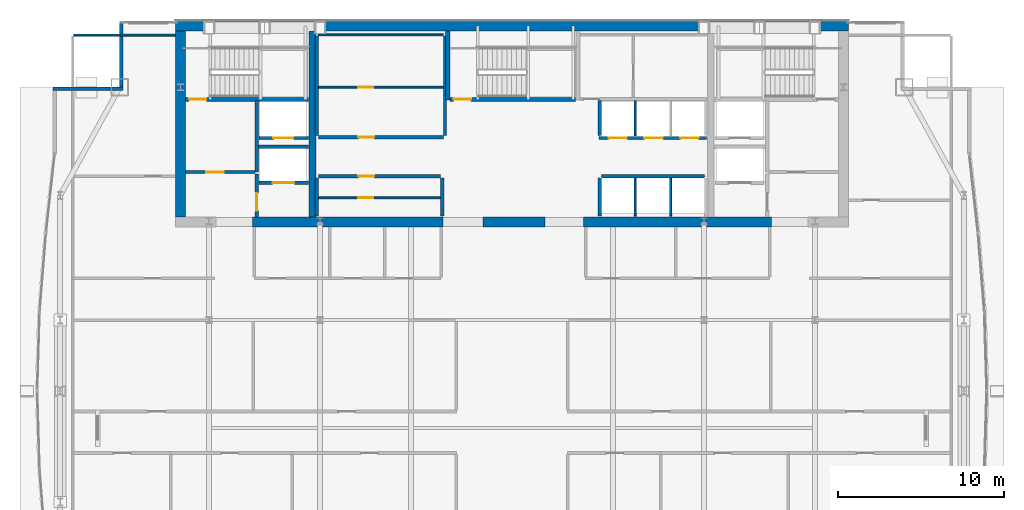
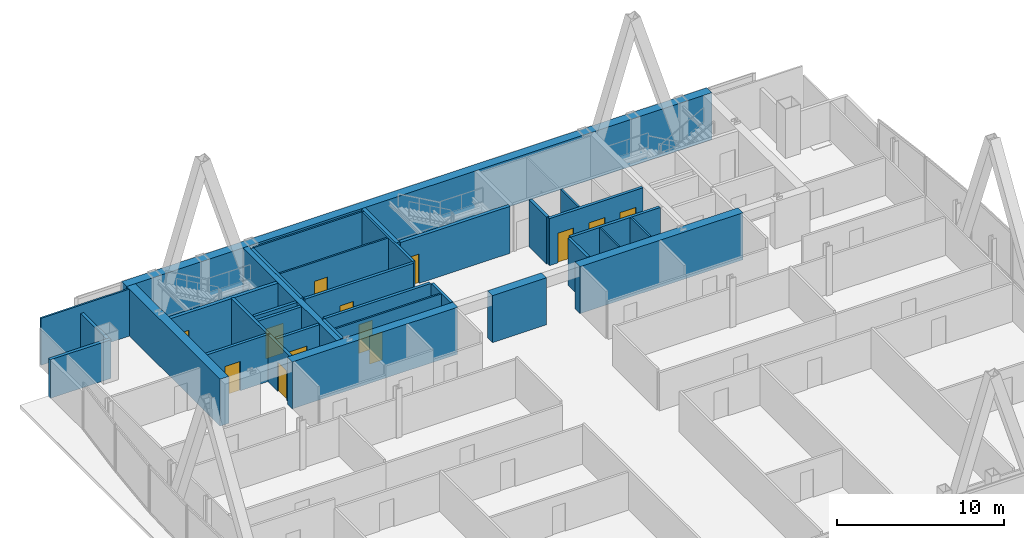
# One storey, part 27 of 30: 34 walls, 13 doors, 13 openings.
"""IFC4 building model written with IfcOpenShell, lengths in metres."""

from ifc_helpers import new_model, si_unit, direction, frame, frame_2d, origin, place, context, subcontext, project, spatial, rectangle, extrude, material, layer, layer_set, type_object, element, fill, save


model = new_model("IFC4")

# Units and contexts
model_context = context("Model", 3, precision=1e-05, world=origin(), true_north=direction((0.0, 1.0)))
body_context = subcontext(model_context, "Body", "Model", "MODEL_VIEW")
ifc_project = project(units=[si_unit("LENGTHUNIT", "METRE"), si_unit("AREAUNIT", "SQUARE_METRE"), si_unit("VOLUMEUNIT", "CUBIC_METRE"), si_unit("PLANEANGLEUNIT", "RADIAN"), si_unit("MASSUNIT", "GRAM", prefix="KILO")], contexts=[model_context])

# Site, building, storey
site_placement = place(None, origin())
site = spatial("IfcSite", under=ifc_project, at=site_placement, CompositionType="ELEMENT")
building_placement = place(site_placement, origin())
building = spatial("IfcBuilding", under=site, at=building_placement, Name="Khoronbel Lancet Exchange", CompositionType="ELEMENT")
storey_placement = place(building_placement, frame((0.0, 0.0, 239.0)))
storey = spatial("IfcBuildingStorey", under=building, at=storey_placement, Name="L61", CompositionType="ELEMENT", Elevation=239.0)

# Walls
ifc_material_1 = material(Name="Concrete C60/75", Category="concrete")
ifc_layer_1 = layer(ifc_material_1, 0.60009765625, Name="Concrete C60/75")
ifc_layer_set_1 = layer_set([ifc_layer_1], Name="Concrete C60/75")
wall_type_1 = type_object("IfcWallType", Name="WL-CW3", PredefinedType="SHEAR", material=ifc_layer_set_1)
wall_1_placement = place(storey_placement, frame((16.199951171875, 53.39990234375, 0.0), z_axis=(0.0, 0.0, 1.0), x_axis=(1.0, 0.0, 0.0)))
element("IfcWall", 1, at=wall_1_placement, inside=storey, type_object=wall_type_1, Name="Level L61 rear core north shear wall", PredefinedType="SHEAR", context=body_context, shape_type="SweptSolid", body=[
    extrude(rectangle(XDim=40.5, YDim=0.60009765625, at=frame_2d((20.25, 0.0))), origin(), (0.0, 0.0, 1.0), 3.43994140625),
])
wall_2_placement = place(storey_placement, frame((16.5, 41.89990234375, 0.0), z_axis=(0.0, 0.0, 1.0), x_axis=(0.0, 1.0, 0.0)))
element("IfcWall", 2, at=wall_2_placement, inside=storey, type_object=wall_type_1, Name="Level L61 rear core west shear wall", PredefinedType="SHEAR", context=body_context, shape_type="SweptSolid", body=[
    extrude(rectangle(XDim=11.2001953125, YDim=0.60009765625, at=frame_2d((5.60009765625, 0.0))), origin(), (0.0, 0.0, 1.0), 3.43994140625),
])
wall_3_placement = place(storey_placement, frame((32.300048828125, 41.60009765625, 0.0), z_axis=(0.0, 0.0, 1.0), x_axis=(-1.0, 0.0, 0.0)))
element("IfcWall", 3, at=wall_3_placement, inside=storey, type_object=wall_type_1, Name="Level L61 rear core south shear wall pier P2", PredefinedType="SHEAR", context=body_context, shape_type="SweptSolid", body=[
    extrude(rectangle(XDim=11.449951171875, YDim=0.60009765625, at=frame_2d((5.72509765625, 0.0))), origin(), (0.0, 0.0, 1.0), 3.43994140625),
])
wall_4_placement = place(storey_placement, frame((38.449951171875, 41.60009765625, 0.0), z_axis=(0.0, 0.0, 1.0), x_axis=(-1.0, 0.0, 0.0)))
element("IfcWall", 4, at=wall_4_placement, inside=storey, type_object=wall_type_1, Name="Level L61 rear core south shear wall pier P3", PredefinedType="SHEAR", context=body_context, shape_type="SweptSolid", body=[
    extrude(rectangle(XDim=3.75, YDim=0.60009765625, at=frame_2d((1.875, 0.0))), origin(), (0.0, 0.0, 1.0), 3.43994140625),
])
wall_5_placement = place(storey_placement, frame((52.050048828125, 41.60009765625, 0.0), z_axis=(0.0, 0.0, 1.0), x_axis=(-1.0, 0.0, 0.0)))
element("IfcWall", 5, at=wall_5_placement, inside=storey, type_object=wall_type_1, Name="Level L61 rear core south shear wall pier P4", PredefinedType="SHEAR", context=body_context, shape_type="SweptSolid", body=[
    extrude(rectangle(XDim=11.300048828125, YDim=0.60009765625, at=frame_2d((5.64990234375, 0.0))), origin(), (0.0, 0.0, 1.0), 3.43994140625),
])
ifc_material_2 = material(Name="Precast concrete C40/50", Category="concrete")
ifc_layer_2 = layer(ifc_material_2, 0.25, Name="Precast concrete C40/50")
ifc_layer_set_2 = layer_set([ifc_layer_2], Name="Precast concrete C40/50")
wall_type_2 = type_object("IfcWallType", Name="WL-EXT250", PredefinedType="SOLIDWALL", material=ifc_layer_set_2)
wall_6_placement = place(storey_placement, frame((8.830078125, 49.610107421875, 0.0), z_axis=(0.0, 0.0, 1.0), x_axis=(1.0, 0.0, 0.0)))
element("IfcWall", 6, at=wall_6_placement, inside=storey, type_object=wall_type_2, Name="Level L61 notched-corner limestone pier 11", PredefinedType="SOLIDWALL", context=body_context, shape_type="SweptSolid", body=[
    extrude(rectangle(XDim=4.219970703125, YDim=0.219970703125, at=frame_2d((2.10986328125, 0.0))), origin(), (0.0, 0.0, 1.0), 2.830078125),
])
wall_7_placement = place(storey_placement, frame((12.93994140625, 49.719970703125, 0.0), z_axis=(0.0, 0.0, 1.0), x_axis=(0.0, 1.0, 0.0)))
element("IfcWall", 7, at=wall_7_placement, inside=storey, type_object=wall_type_2, Name="Level L61 notched-corner limestone pier 12", PredefinedType="SOLIDWALL", context=body_context, shape_type="SweptSolid", body=[
    extrude(rectangle(XDim=3.909912109375, YDim=0.219970703125, at=frame_2d((1.955078125, 0.0))), origin(), (0.0, 0.0, 1.0), 2.830078125),
])
ifc_material_3 = material(Name="Acoustic Metal-Stud & Mineral-Wool Gypsum Partition 120 mm", Category="gypsum")
ifc_layer_3 = layer(ifc_material_3, 0.1201171875, Name="Acoustic Metal-Stud & Mineral-Wool Gypsum Partition 120 mm")
ifc_layer_set_3 = layer_set([ifc_layer_3], Name="Acoustic Metal-Stud & Mineral-Wool Gypsum Partition 120 mm")
wall_type_3 = type_object("IfcWallType", Name="WL-PRT120", PredefinedType="PARTITIONING", material=ifc_layer_set_3)
wall_8_placement = place(storey_placement, frame((10.094970703125, 52.840087890625, 0.0), z_axis=(0.0, 0.0, 1.0), x_axis=(1.0, 0.0, 0.0)))
element("IfcWall", 8, at=wall_8_placement, inside=storey, type_object=wall_type_3, Name="Level L61 interior partition PW-LIN-NW", PredefinedType="PARTITIONING", context=body_context, shape_type="SweptSolid", body=[
    extrude(rectangle(XDim=6.10498046875, YDim=0.1201171875, at=frame_2d((3.052490234375, 0.0))), origin(), (0.0, 0.0, 1.0), 3.43994140625),
])
ifc_material_4 = material(Name="Fire-Rated Metal-Stud & Mineral-Wool Gypsum Partition 120 mm", Category="gypsum")
ifc_layer_4 = layer(ifc_material_4, 0.1201171875, Name="Fire-Rated Metal-Stud & Mineral-Wool Gypsum Partition 120 mm")
ifc_layer_set_4 = layer_set([ifc_layer_4], Name="Fire-Rated Metal-Stud & Mineral-Wool Gypsum Partition 120 mm")
wall_type_4 = type_object("IfcWallType", Name="WL-PRT120F", PredefinedType="PARTITIONING", material=ifc_layer_set_4)
wall_9_placement = place(storey_placement, frame((24.804931640625, 52.860107421875, 0.0), z_axis=(0.0, 0.0, 1.0), x_axis=(1.0, 0.0, 0.0)))
element("IfcWall", 9, at=wall_9_placement, inside=storey, type_object=wall_type_4, Name="Level L61 interior partition CW-PL-RN", PredefinedType="PARTITIONING", context=body_context, shape_type="SweptSolid", body=[
    extrude(rectangle(XDim=7.510009765625, YDim=0.1201171875, at=frame_2d((3.7548828125, 0.0))), origin(), (0.0, 0.0, 1.0), 3.43994140625),
])

# Wall, opening, door
wall_10_placement = place(storey_placement, frame((24.804931640625, 49.708740234375, 0.0), z_axis=(0.0, 0.0, 1.0), x_axis=(1.0, 0.0, 0.0)))
wall_10 = element("IfcWall", 10, at=wall_10_placement, inside=storey, type_object=wall_type_4, Name="Level L61 interior partition CW-PL-RH", PredefinedType="PARTITIONING", context=body_context, shape_type="SweptSolid", body=[
    extrude(rectangle(XDim=7.510009765625, YDim=0.1201171875, at=frame_2d((3.7548828125, 0.0))), origin(), (0.0, 0.0, 1.0), 3.43994140625),
])
opening_1_placement = place(wall_10_placement, frame((2.39990234375, 0.0, 0.0)))
opening_1 = element("IfcOpeningElement", 11, at=opening_1_placement, cuts=wall_10, Name="Opening FD4", PredefinedType="OPENING", context=body_context, shape_type="SweptSolid", body=[
    extrude(rectangle(XDim=0.89990234375, YDim=2.050048828125, at=frame_2d((0.449951171875, 1.02490234375))), frame((0.0, 0.070068359375, 0.0), z_axis=(0.0, -1.0, 0.0), x_axis=(1.0, 0.0, 0.0)), (0.0, 0.0, 1.0), 0.14013671875),
])
ifc_material_5 = material(Name="Fire-Rated Steel Core Support Door Assembly", Category="steel")
door_type_1 = type_object("IfcDoorType", Name="DR-FD4", OperationType="NOTDEFINED", PredefinedType="DOOR", material=ifc_material_5)
door_1_placement = place(opening_1_placement, origin())
door_1 = element("IfcDoor", 12, at=door_1_placement, inside=storey, type_object=door_type_1, Name="Core PL inner store door L61-1", OperationType="SINGLE_SWING_RIGHT", OverallHeight=2.050048828125, OverallWidth=0.89990234375, PredefinedType="DOOR", context=body_context, shape_type="SweptSolid", body=[
    extrude(rectangle(XDim=0.89990234375, YDim=2.050048828125, at=frame_2d((0.449951171875, 1.02490234375))), frame((0.0, 0.02490234375, 0.0), z_axis=(0.0, -1.0, 0.0), x_axis=(1.0, 0.0, 0.0)), (0.0, 0.0, 1.0), 0.050048828125),
])
fill(opening_1, door_1)

wall_11_placement = place(storey_placement, frame((24.804931640625, 43.053955078125, 0.0), z_axis=(0.0, 0.0, 1.0), x_axis=(1.0, 0.0, 0.0)))
wall_11 = element("IfcWall", 13, at=wall_11_placement, inside=storey, type_object=wall_type_4, Name="Level L61 interior partition CW-PM-RH", PredefinedType="PARTITIONING", context=body_context, shape_type="SweptSolid", body=[
    extrude(rectangle(XDim=7.340087890625, YDim=0.1201171875, at=frame_2d((3.669921875, 0.0))), origin(), (0.0, 0.0, 1.0), 3.43994140625),
])
opening_2_placement = place(wall_11_placement, frame((2.39990234375, 0.0, 0.0)))
opening_2 = element("IfcOpeningElement", 14, at=opening_2_placement, cuts=wall_11, Name="Opening FD4", PredefinedType="OPENING", context=body_context, shape_type="SweptSolid", body=[
    extrude(rectangle(XDim=0.89990234375, YDim=2.050048828125, at=frame_2d((0.449951171875, 1.02490234375))), frame((0.0, 0.070068359375, 0.0), z_axis=(0.0, -1.0, 0.0), x_axis=(1.0, 0.0, 0.0)), (0.0, 0.0, 1.0), 0.14013671875),
])
door_2_placement = place(opening_2_placement, origin())
door_2 = element("IfcDoor", 15, at=door_2_placement, inside=storey, type_object=door_type_1, Name="Core PM inner store door L61-1", OperationType="SINGLE_SWING_RIGHT", OverallHeight=2.050048828125, OverallWidth=0.89990234375, PredefinedType="DOOR", context=body_context, shape_type="SweptSolid", body=[
    extrude(rectangle(XDim=0.89990234375, YDim=2.050048828125, at=frame_2d((0.449951171875, 1.02490234375))), frame((0.0, 0.02490234375, 0.0), z_axis=(0.0, -1.0, 0.0), x_axis=(1.0, 0.0, 0.0)), (0.0, 0.0, 1.0), 0.050048828125),
])
fill(opening_2, door_2)

# Walls
wall_12_placement = place(storey_placement, frame((43.860107421875, 46.800048828125, 0.0), z_axis=(0.0, 0.0, 1.0), x_axis=(0.0, 1.0, 0.0)))
element("IfcWall", 16, at=wall_12_placement, inside=storey, type_object=wall_type_4, Name="Level L61 interior partition CW-PH-D1", PredefinedType="PARTITIONING", context=body_context, shape_type="SweptSolid", body=[
    extrude(rectangle(XDim=2.094970703125, YDim=0.1201171875, at=frame_2d((1.04736328125, 0.0))), origin(), (0.0, 0.0, 1.0), 3.43994140625),
])
for number, where, z_axis, x_axis, name in (
    (17, (43.860107421875, 41.949951171875, 0.0), (0.0, 0.0, 1.0), (0.0, 1.0, 0.0), "Level L61 interior partition CW-PX-D1"),
    (18, (46.0, 41.949951171875, 0.0), (0.0, 0.0, 1.0), (0.0, 1.0, 0.0), "Level L61 interior partition CW-PX-D2"),
):
    element("IfcWall", number, at=place(storey_placement, frame(where, z_axis=z_axis, x_axis=x_axis)), inside=storey, type_object=wall_type_4, Name=name, PredefinedType="PARTITIONING", context=body_context, shape_type="SweptSolid", body=[
        extrude(rectangle(XDim=2.295166015625, YDim=0.1201171875, at=frame_2d((1.1474609375, 0.0))), origin(), (0.0, 0.0, 1.0), 3.43994140625),
    ])

# Wall, opening, door
ifc_material_6 = material(Name="Autoclaved Aerated Concrete Blockwork 200 mm", Category="masonry")
ifc_layer_5 = layer(ifc_material_6, 0.199951171875, Name="Autoclaved Aerated Concrete Blockwork 200 mm")
ifc_layer_set_5 = layer_set([ifc_layer_5], Name="Autoclaved Aerated Concrete Blockwork 200 mm")
wall_type_5 = type_object("IfcWallType", Name="WL-PRT200", PredefinedType="PARTITIONING", material=ifc_layer_set_5)
wall_13_placement = place(storey_placement, frame((24.2099609375, 43.949951171875, 0.0), z_axis=(0.0, 0.0, 1.0), x_axis=(-1.0, 0.0, 0.0)))
wall_13 = element("IfcWall", 19, at=wall_13_placement, inside=storey, type_object=wall_type_5, Name="Level L61 elevator hoistway landing front wall SVLW", PredefinedType="PARTITIONING", context=body_context, shape_type="SweptSolid", body=[
    extrude(rectangle(XDim=2.969970703125, YDim=0.199951171875, at=frame_2d((1.48486328125, 0.0))), origin(), (0.0, 0.0, 1.0), 3.43994140625),
])
opening_3_placement = place(wall_13_placement, frame((0.860107421875, 0.0, 0.0)))
opening_3 = element("IfcOpeningElement", 20, at=opening_3_placement, cuts=wall_13, Name="Opening LD-SVL1", PredefinedType="OPENING", context=body_context, shape_type="SweptSolid", body=[
    extrude(rectangle(XDim=1.300048828125, YDim=2.179931640625, at=frame_2d((0.64990234375, 1.08984375))), frame((0.0, 0.10986328125, 0.0), z_axis=(0.0, -1.0, 0.0), x_axis=(1.0, 0.0, 0.0)), (0.0, 0.0, 1.0), 0.219970703125),
])
ifc_material_7 = material(Name="Heavy-Duty Bi-Parting Goods Lift Landing Door", Category="steel")
door_type_2 = type_object("IfcDoorType", Name="DR-LD-SVL", OperationType="NOTDEFINED", PredefinedType="DOOR", material=ifc_material_7)
door_3_placement = place(opening_3_placement, origin())
door_3 = element("IfcDoor", 21, at=door_3_placement, inside=storey, type_object=door_type_2, Name="Elevator landing sliding door LD-SVL1 L61", OperationType="SLIDING_TO_LEFT", OverallHeight=2.179931640625, OverallWidth=1.300048828125, PredefinedType="DOOR", context=body_context, shape_type="SweptSolid", body=[
    extrude(rectangle(XDim=1.300048828125, YDim=2.179931640625, at=frame_2d((0.64990234375, 1.08984375))), frame((0.0, 0.02490234375, 0.0), z_axis=(0.0, -1.0, 0.0), x_axis=(1.0, 0.0, 0.0)), (0.0, 0.0, 1.0), 0.050048828125),
])
fill(opening_3, door_3)

wall_14_placement = place(storey_placement, frame((24.2099609375, 46.64990234375, 0.0), z_axis=(0.0, 0.0, 1.0), x_axis=(-1.0, 0.0, 0.0)))
wall_14 = element("IfcWall", 22, at=wall_14_placement, inside=storey, type_object=wall_type_5, Name="Level L61 elevator hoistway landing front wall FFLW", PredefinedType="PARTITIONING", context=body_context, shape_type="SweptSolid", body=[
    extrude(rectangle(XDim=2.969970703125, YDim=0.199951171875, at=frame_2d((1.48486328125, 0.0))), origin(), (0.0, 0.0, 1.0), 3.43994140625),
])
opening_4_placement = place(wall_14_placement, frame((0.909912109375, 0.0, 0.0)))
opening_4 = element("IfcOpeningElement", 23, at=opening_4_placement, cuts=wall_14, Name="Opening LD-FFL1", PredefinedType="OPENING", context=body_context, shape_type="SweptSolid", body=[
    extrude(rectangle(XDim=1.199951171875, YDim=2.179931640625, at=frame_2d((0.60009765625, 1.08984375))), frame((0.0, 0.10986328125, 0.0), z_axis=(0.0, -1.0, 0.0), x_axis=(1.0, 0.0, 0.0)), (0.0, 0.0, 1.0), 0.219970703125),
])
ifc_material_8 = material(Name="Fire-Rated Stainless Bi-Parting Firefighting Lift Door", Category="steel")
door_type_3 = type_object("IfcDoorType", Name="DR-LD-FFL", OperationType="NOTDEFINED", PredefinedType="DOOR", material=ifc_material_8)
door_4_placement = place(opening_4_placement, origin())
door_4 = element("IfcDoor", 24, at=door_4_placement, inside=storey, type_object=door_type_3, Name="Elevator landing sliding door LD-FFL1 L61", OperationType="SLIDING_TO_LEFT", OverallHeight=2.179931640625, OverallWidth=1.199951171875, PredefinedType="DOOR", context=body_context, shape_type="SweptSolid", body=[
    extrude(rectangle(XDim=1.199951171875, YDim=2.179931640625, at=frame_2d((0.60009765625, 1.08984375))), frame((0.0, 0.02490234375, 0.0), z_axis=(0.0, -1.0, 0.0), x_axis=(1.0, 0.0, 0.0)), (0.0, 0.0, 1.0), 0.050048828125),
])
fill(opening_4, door_4)

# Wall, openings, doors
wall_15_placement = place(storey_placement, frame((48.159912109375, 46.64990234375, 0.0), z_axis=(0.0, 0.0, 1.0), x_axis=(-1.0, 0.0, 0.0)))
wall_15 = element("IfcWall", 25, at=wall_15_placement, inside=storey, type_object=wall_type_5, Name="Level L61 elevator hoistway landing front wall PHE", PredefinedType="PARTITIONING", context=body_context, shape_type="SweptSolid", body=[
    extrude(rectangle(XDim=6.47998046875, YDim=0.199951171875, at=frame_2d((3.239990234375, 0.0))), origin(), (0.0, 0.0, 1.0), 3.43994140625),
])
opening_5_placement = place(wall_15_placement, frame((4.800048828125, 0.0, 0.0)))
opening_5 = element("IfcOpeningElement", 26, at=opening_5_placement, cuts=wall_15, Name="Opening LD-PH1", PredefinedType="OPENING", context=body_context, shape_type="SweptSolid", body=[
    extrude(rectangle(XDim=1.10009765625, YDim=2.179931640625, at=frame_2d((0.550048828125, 1.08984375))), frame((0.0, 0.10986328125, 0.0), z_axis=(0.0, -1.0, 0.0), x_axis=(1.0, 0.0, 0.0)), (0.0, 0.0, 1.0), 0.219970703125),
])
opening_6_placement = place(wall_15_placement, frame((2.639892578125, 0.0, 0.0)))
opening_6 = element("IfcOpeningElement", 27, at=opening_6_placement, cuts=wall_15, Name="Opening LD-PH2", PredefinedType="OPENING", context=body_context, shape_type="SweptSolid", body=[
    extrude(rectangle(XDim=1.10009765625, YDim=2.179931640625, at=frame_2d((0.550048828125, 1.08984375))), frame((0.0, 0.10986328125, 0.0), z_axis=(0.0, -1.0, 0.0), x_axis=(1.0, 0.0, 0.0)), (0.0, 0.0, 1.0), 0.219970703125),
])
opening_7_placement = place(wall_15_placement, frame((0.47998046875, 0.0, 0.0)))
opening_7 = element("IfcOpeningElement", 28, at=opening_7_placement, cuts=wall_15, Name="Opening LD-PH3", PredefinedType="OPENING", context=body_context, shape_type="SweptSolid", body=[
    extrude(rectangle(XDim=1.10009765625, YDim=2.179931640625, at=frame_2d((0.550048828125, 1.08984375))), frame((0.0, 0.10986328125, 0.0), z_axis=(0.0, -1.0, 0.0), x_axis=(1.0, 0.0, 0.0)), (0.0, 0.0, 1.0), 0.219970703125),
])
ifc_material_9 = material(Name="Brushed Bronze Bi-Parting Elevator Landing Door", Category="steel")
door_type_4 = type_object("IfcDoorType", Name="DR-LD-PAX", OperationType="NOTDEFINED", PredefinedType="DOOR", material=ifc_material_9)
door_5_placement = place(opening_5_placement, origin())
door_5 = element("IfcDoor", 29, at=door_5_placement, inside=storey, type_object=door_type_4, Name="Elevator landing sliding door LD-PH1 L61", OperationType="SLIDING_TO_LEFT", OverallHeight=2.179931640625, OverallWidth=1.10009765625, PredefinedType="DOOR", context=body_context, shape_type="SweptSolid", body=[
    extrude(rectangle(XDim=1.10009765625, YDim=2.179931640625, at=frame_2d((0.550048828125, 1.08984375))), frame((0.0, 0.02490234375, 0.0), z_axis=(0.0, -1.0, 0.0), x_axis=(1.0, 0.0, 0.0)), (0.0, 0.0, 1.0), 0.050048828125),
])
fill(opening_5, door_5)
door_6_placement = place(opening_6_placement, origin())
door_6 = element("IfcDoor", 30, at=door_6_placement, inside=storey, type_object=door_type_4, Name="Elevator landing sliding door LD-PH2 L61", OperationType="SLIDING_TO_LEFT", OverallHeight=2.179931640625, OverallWidth=1.10009765625, PredefinedType="DOOR", context=body_context, shape_type="SweptSolid", body=[
    extrude(rectangle(XDim=1.10009765625, YDim=2.179931640625, at=frame_2d((0.550048828125, 1.08984375))), frame((0.0, 0.02490234375, 0.0), z_axis=(0.0, -1.0, 0.0), x_axis=(1.0, 0.0, 0.0)), (0.0, 0.0, 1.0), 0.050048828125),
])
fill(opening_6, door_6)
door_7_placement = place(opening_7_placement, origin())
door_7 = element("IfcDoor", 31, at=door_7_placement, inside=storey, type_object=door_type_4, Name="Elevator landing sliding door LD-PH3 L61", OperationType="SLIDING_TO_LEFT", OverallHeight=2.179931640625, OverallWidth=1.10009765625, PredefinedType="DOOR", context=body_context, shape_type="SweptSolid", body=[
    extrude(rectangle(XDim=1.10009765625, YDim=2.179931640625, at=frame_2d((0.550048828125, 1.08984375))), frame((0.0, 0.02490234375, 0.0), z_axis=(0.0, -1.0, 0.0), x_axis=(1.0, 0.0, 0.0)), (0.0, 0.0, 1.0), 0.050048828125),
])
fill(opening_7, door_7)

# Wall
wall_16_placement = place(storey_placement, frame((21.10009765625, 44.60009765625, 0.0), z_axis=(0.0, 0.0, 1.0), x_axis=(0.0, 1.0, 0.0)))
element("IfcWall", 32, at=wall_16_placement, inside=storey, type_object=wall_type_5, Name="Level L61 interior partition CW-FFLW-E", PredefinedType="PARTITIONING", context=body_context, shape_type="SweptSolid", body=[
    extrude(rectangle(XDim=4.2998046875, YDim=0.199951171875, at=frame_2d((2.14990234375, 0.0))), origin(), (0.0, 0.0, 1.0), 3.43994140625),
])

# Wall, opening, door
wall_17_placement = place(storey_placement, frame((16.800048828125, 44.60009765625, 0.0), z_axis=(0.0, 0.0, 1.0), x_axis=(1.0, 0.0, 0.0)))
wall_17 = element("IfcWall", 33, at=wall_17_placement, inside=storey, type_object=wall_type_5, Name="Level L61 interior partition CW-FFLW-S", PredefinedType="PARTITIONING", context=body_context, shape_type="SweptSolid", body=[
    extrude(rectangle(XDim=4.199951171875, YDim=0.199951171875, at=frame_2d((2.10009765625, 0.0))), origin(), (0.0, 0.0, 1.0), 3.43994140625),
])
opening_8_placement = place(wall_17_placement, frame((1.25, 0.0, 0.0)))
opening_8 = element("IfcOpeningElement", 34, at=opening_8_placement, cuts=wall_17, Name="Opening FD1", PredefinedType="OPENING", context=body_context, shape_type="SweptSolid", body=[
    extrude(rectangle(XDim=1.050048828125, YDim=2.14990234375, at=frame_2d((0.52490234375, 1.074951171875))), frame((0.0, 0.10986328125, 0.0), z_axis=(0.0, -1.0, 0.0), x_axis=(1.0, 0.0, 0.0)), (0.0, 0.0, 1.0), 0.219970703125),
])
ifc_material_10 = material(Name="Fire-Rated Painted Steel Door Assembly", Category="steel")
door_type_5 = type_object("IfcDoorType", Name="DR-FD1", OperationType="NOTDEFINED", PredefinedType="DOOR", material=ifc_material_10)
door_8_placement = place(opening_8_placement, origin())
door_8 = element("IfcDoor", 35, at=door_8_placement, inside=storey, type_object=door_type_5, Name="West firefighting lobby FD90S door L61-1", OperationType="SINGLE_SWING_RIGHT", OverallHeight=2.14990234375, OverallWidth=1.050048828125, PredefinedType="DOOR", context=body_context, shape_type="SweptSolid", body=[
    extrude(rectangle(XDim=1.050048828125, YDim=2.14990234375, at=frame_2d((0.52490234375, 1.074951171875))), frame((0.0, 0.02490234375, 0.0), z_axis=(0.0, -1.0, 0.0), x_axis=(1.0, 0.0, 0.0)), (0.0, 0.0, 1.0), 0.050048828125),
])
fill(opening_8, door_8)

# Wall
wall_18_placement = place(storey_placement, frame((21.199951171875, 46.1201171875, 0.0), z_axis=(0.0, 0.0, 1.0), x_axis=(1.0, 0.0, 0.0)))
element("IfcWall", 36, at=wall_18_placement, inside=storey, type_object=wall_type_5, Name="Level L61 interior partition CW-FFL1-S", PredefinedType="PARTITIONING", context=body_context, shape_type="SweptSolid", body=[
    extrude(rectangle(XDim=3.02001953125, YDim=0.199951171875, at=frame_2d((1.510009765625, 0.0))), origin(), (0.0, 0.0, 1.0), 3.43994140625),
])

# Wall, opening, door
wall_19_placement = place(storey_placement, frame((21.10009765625, 41.89990234375, 0.0), z_axis=(0.0, 0.0, 1.0), x_axis=(0.0, 1.0, 0.0)))
wall_19 = element("IfcWall", 37, at=wall_19_placement, inside=storey, type_object=wall_type_5, Name="Level L61 interior partition CW-SVLW-W", PredefinedType="PARTITIONING", context=body_context, shape_type="SweptSolid", body=[
    extrude(rectangle(XDim=2.59521484375, YDim=0.199951171875, at=frame_2d((1.297607421875, 0.0))), origin(), (0.0, 0.0, 1.0), 3.43994140625),
])
opening_9_placement = place(wall_19_placement, frame((0.3798828125, 0.0, 0.0)))
opening_9 = element("IfcOpeningElement", 38, at=opening_9_placement, cuts=wall_19, Name="Opening FD1", PredefinedType="OPENING", context=body_context, shape_type="SweptSolid", body=[
    extrude(rectangle(XDim=1.050048828125, YDim=2.14990234375, at=frame_2d((0.52490234375, 1.074951171875))), frame((0.0, 0.10986328125, 0.0), z_axis=(0.0, -1.0, 0.0), x_axis=(1.0, 0.0, 0.0)), (0.0, 0.0, 1.0), 0.219970703125),
])
door_9_placement = place(opening_9_placement, origin())
door_9 = element("IfcDoor", 39, at=door_9_placement, inside=storey, type_object=door_type_5, Name="West service lift lobby door L61-1", OperationType="SINGLE_SWING_LEFT", OverallHeight=2.14990234375, OverallWidth=1.050048828125, PredefinedType="DOOR", context=body_context, shape_type="SweptSolid", body=[
    extrude(rectangle(XDim=1.050048828125, YDim=2.14990234375, at=frame_2d((0.52490234375, 1.074951171875))), frame((0.0, 0.02490234375, 0.0), z_axis=(0.0, -1.0, 0.0), x_axis=(1.0, 0.0, 0.0)), (0.0, 0.0, 1.0), 0.050048828125),
])
fill(opening_9, door_9)

# Walls
for number, where, z_axis, x_axis, name in (
    (40, (24.699951171875, 46.804931640625, 0.0), (0.0, 0.0, 1.0), (0.0, 1.0, 0.0), "Level L61 interior partition CW-PL-RW"),
    (41, (32.419921875, 46.804931640625, 0.0), (0.0, 0.0, 1.0), (0.0, 1.0, 0.0), "Level L61 interior partition CW-PL-RE"),
):
    element("IfcWall", number, at=place(storey_placement, frame(where, z_axis=z_axis, x_axis=x_axis)), inside=storey, type_object=wall_type_5, Name=name, PredefinedType="PARTITIONING", context=body_context, shape_type="SweptSolid", body=[
        extrude(rectangle(XDim=5.989990234375, YDim=0.199951171875, at=frame_2d((2.9951171875, 0.0))), origin(), (0.0, 0.0, 1.0), 3.43994140625),
    ])

# Wall, opening, door
wall_20_placement = place(storey_placement, frame((24.804931640625, 46.699951171875, 0.0), z_axis=(0.0, 0.0, 1.0), x_axis=(1.0, 0.0, 0.0)))
wall_20 = element("IfcWall", 42, at=wall_20_placement, inside=storey, type_object=wall_type_5, Name="Level L61 interior partition CW-PL-RF", PredefinedType="PARTITIONING", context=body_context, shape_type="SweptSolid", body=[
    extrude(rectangle(XDim=7.510009765625, YDim=0.199951171875, at=frame_2d((3.7548828125, 0.0))), origin(), (0.0, 0.0, 1.0), 3.43994140625),
])
opening_10_placement = place(wall_20_placement, frame((2.39990234375, 0.0, 0.0)))
opening_10 = element("IfcOpeningElement", 43, at=opening_10_placement, cuts=wall_20, Name="Opening FD3", PredefinedType="OPENING", context=body_context, shape_type="SweptSolid", body=[
    extrude(rectangle(XDim=0.949951171875, YDim=2.10009765625, at=frame_2d((0.47509765625, 1.050048828125))), frame((0.0, 0.10986328125, 0.0), z_axis=(0.0, -1.0, 0.0), x_axis=(1.0, 0.0, 0.0)), (0.0, 0.0, 1.0), 0.219970703125),
])
ifc_material_11 = material(Name="Fire-Rated Steel Plant & Riser Door Assembly", Category="steel")
door_type_6 = type_object("IfcDoorType", Name="DR-FD3", OperationType="NOTDEFINED", PredefinedType="DOOR", material=ifc_material_11)
door_10_placement = place(opening_10_placement, origin())
door_10 = element("IfcDoor", 44, at=door_10_placement, inside=storey, type_object=door_type_6, Name="Core PL merged gallery room door L61-1", OperationType="SINGLE_SWING_LEFT", OverallHeight=2.10009765625, OverallWidth=0.949951171875, PredefinedType="DOOR", context=body_context, shape_type="SweptSolid", body=[
    extrude(rectangle(XDim=0.949951171875, YDim=2.10009765625, at=frame_2d((0.47509765625, 1.050048828125))), frame((0.0, 0.02490234375, 0.0), z_axis=(0.0, -1.0, 0.0), x_axis=(1.0, 0.0, 0.0)), (0.0, 0.0, 1.0), 0.050048828125),
])
fill(opening_10, door_10)

# Walls
for number, where, z_axis, x_axis, name in (
    (45, (24.699951171875, 41.949951171875, 0.0), (0.0, 0.0, 1.0), (0.0, 1.0, 0.0), "Level L61 interior partition CW-PM-RW"),
    (46, (32.25, 41.949951171875, 0.0), (0.0, 0.0, 1.0), (0.0, 1.0, 0.0), "Level L61 interior partition CW-PM-RE"),
):
    element("IfcWall", number, at=place(storey_placement, frame(where, z_axis=z_axis, x_axis=x_axis)), inside=storey, type_object=wall_type_5, Name=name, PredefinedType="PARTITIONING", context=body_context, shape_type="SweptSolid", body=[
        extrude(rectangle(XDim=2.295166015625, YDim=0.199951171875, at=frame_2d((1.1474609375, 0.0))), origin(), (0.0, 0.0, 1.0), 3.43994140625),
    ])

# Wall, opening, door
wall_21_placement = place(storey_placement, frame((24.804931640625, 44.35009765625, 0.0), z_axis=(0.0, 0.0, 1.0), x_axis=(1.0, 0.0, 0.0)))
wall_21 = element("IfcWall", 47, at=wall_21_placement, inside=storey, type_object=wall_type_5, Name="Level L61 interior partition CW-PM-RF", PredefinedType="PARTITIONING", context=body_context, shape_type="SweptSolid", body=[
    extrude(rectangle(XDim=7.340087890625, YDim=0.199951171875, at=frame_2d((3.669921875, 0.0))), origin(), (0.0, 0.0, 1.0), 3.43994140625),
])
opening_11_placement = place(wall_21_placement, frame((2.39990234375, 0.0, 0.0)))
opening_11 = element("IfcOpeningElement", 48, at=opening_11_placement, cuts=wall_21, Name="Opening FD3", PredefinedType="OPENING", context=body_context, shape_type="SweptSolid", body=[
    extrude(rectangle(XDim=0.949951171875, YDim=2.10009765625, at=frame_2d((0.47509765625, 1.050048828125))), frame((0.0, 0.10986328125, 0.0), z_axis=(0.0, -1.0, 0.0), x_axis=(1.0, 0.0, 0.0)), (0.0, 0.0, 1.0), 0.219970703125),
])
door_11_placement = place(opening_11_placement, origin())
door_11 = element("IfcDoor", 49, at=door_11_placement, inside=storey, type_object=door_type_6, Name="Core PM merged gallery room door L61-1", OperationType="SINGLE_SWING_LEFT", OverallHeight=2.10009765625, OverallWidth=0.949951171875, PredefinedType="DOOR", context=body_context, shape_type="SweptSolid", body=[
    extrude(rectangle(XDim=0.949951171875, YDim=2.10009765625, at=frame_2d((0.47509765625, 1.050048828125))), frame((0.0, 0.02490234375, 0.0), z_axis=(0.0, -1.0, 0.0), x_axis=(1.0, 0.0, 0.0)), (0.0, 0.0, 1.0), 0.050048828125),
])
fill(opening_11, door_11)

# Walls
wall_22_placement = place(storey_placement, frame((41.719970703125, 46.800048828125, 0.0), z_axis=(0.0, 0.0, 1.0), x_axis=(0.0, 1.0, 0.0)))
element("IfcWall", 50, at=wall_22_placement, inside=storey, type_object=wall_type_5, Name="Level L61 interior partition CW-PH-W", PredefinedType="PARTITIONING", context=body_context, shape_type="SweptSolid", body=[
    extrude(rectangle(XDim=2.094970703125, YDim=0.199951171875, at=frame_2d((1.04736328125, 0.0))), origin(), (0.0, 0.0, 1.0), 3.43994140625),
])
wall_23_placement = place(storey_placement, frame((41.824951171875, 44.35009765625, 0.0), z_axis=(0.0, 0.0, 1.0), x_axis=(1.0, 0.0, 0.0)))
element("IfcWall", 51, at=wall_23_placement, inside=storey, type_object=wall_type_5, Name="Level L61 interior partition CW-PX-EXP", PredefinedType="PARTITIONING", context=body_context, shape_type="SweptSolid", body=[
    extrude(rectangle(XDim=6.2099609375, YDim=0.199951171875, at=frame_2d((3.10498046875, 0.0))), origin(), (0.0, 0.0, 1.0), 3.43994140625),
])
wall_24_placement = place(storey_placement, frame((41.719970703125, 41.949951171875, 0.0), z_axis=(0.0, 0.0, 1.0), x_axis=(0.0, 1.0, 0.0)))
element("IfcWall", 52, at=wall_24_placement, inside=storey, type_object=wall_type_5, Name="Level L61 interior partition CW-PX-W", PredefinedType="PARTITIONING", context=body_context, shape_type="SweptSolid", body=[
    extrude(rectangle(XDim=2.295166015625, YDim=0.199951171875, at=frame_2d((1.1474609375, 0.0))), origin(), (0.0, 0.0, 1.0), 3.43994140625),
])
ifc_layer_6 = layer(ifc_material_1, 0.39990234375, Name="Concrete C60/75")
ifc_layer_set_6 = layer_set([ifc_layer_6], Name="Concrete C60/75")
wall_type_6 = type_object("IfcWallType", Name="WL-SW2", PredefinedType="SHEAR", material=ifc_layer_set_6)
wall_25_placement = place(storey_placement, frame((24.449951171875, 41.89990234375, 0.0), z_axis=(0.0, 0.0, 1.0), x_axis=(0.0, 1.0, 0.0)))
element("IfcWall", 53, at=wall_25_placement, inside=storey, type_object=wall_type_6, Name="Level L61 rear core internal spine shear wall IW", PredefinedType="SHEAR", context=body_context, shape_type="SweptSolid", body=[
    extrude(rectangle(XDim=11.2001953125, YDim=0.39990234375, at=frame_2d((5.60009765625, 0.0))), origin(), (0.0, 0.0, 1.0), 3.43994140625),
])
ifc_layer_7 = layer(ifc_material_1, 0.260009765625, Name="Concrete C60/75")
ifc_layer_set_7 = layer_set([ifc_layer_7], Name="Concrete C60/75")
wall_type_7 = type_object("IfcWallType", Name="WL-SW3", PredefinedType="SHEAR", material=ifc_layer_set_7)
wall_26_placement = place(storey_placement, frame((32.580078125, 48.949951171875, 0.0), z_axis=(0.0, 0.0, 1.0), x_axis=(0.0, 1.0, 0.0)))
element("IfcWall", 54, at=wall_26_placement, inside=storey, type_object=wall_type_7, Name="Level L61 central stairwell structural shear wall ST3W", PredefinedType="SHEAR", context=body_context, shape_type="SweptSolid", body=[
    extrude(rectangle(XDim=4.150146484375, YDim=0.260009765625, at=frame_2d((2.0751953125, 0.0))), origin(), (0.0, 0.0, 1.0), 3.43994140625),
])

# Wall, opening, door
wall_27_placement = place(storey_placement, frame((16.800048828125, 48.97998046875, 0.0), z_axis=(0.0, 0.0, 1.0), x_axis=(1.0, 0.0, 0.0)))
wall_27 = element("IfcWall", 55, at=wall_27_placement, inside=storey, type_object=wall_type_7, Name="Level L61 west stairwell structural south wall", PredefinedType="SHEAR", context=body_context, shape_type="SweptSolid", body=[
    extrude(rectangle(XDim=7.419921875, YDim=0.239990234375, at=frame_2d((3.7099609375, 0.0))), origin(), (0.0, 0.0, 1.0), 3.43994140625),
])
opening_12_placement = place(wall_27_placement, frame((0.219970703125, 0.0, 0.0)))
opening_12 = element("IfcOpeningElement", 56, at=opening_12_placement, cuts=wall_27, Name="Opening SD1", PredefinedType="OPENING", context=body_context, shape_type="SweptSolid", body=[
    extrude(rectangle(XDim=1.050048828125, YDim=2.14990234375, at=frame_2d((0.52490234375, 1.074951171875))), frame((0.0, 0.1298828125, 0.0), z_axis=(0.0, -1.0, 0.0), x_axis=(1.0, 0.0, 0.0)), (0.0, 0.0, 1.0), 0.260009765625),
])
ifc_material_12 = material(Name="Fire-Rated Steel Stairwell Door Assembly", Category="steel")
door_type_7 = type_object("IfcDoorType", Name="DR-SD1", OperationType="NOTDEFINED", PredefinedType="DOOR", material=ifc_material_12)
door_12_placement = place(opening_12_placement, origin())
door_12 = element("IfcDoor", 57, at=door_12_placement, inside=storey, type_object=door_type_7, Name="Protected exit stair ST1 door L61", OperationType="SINGLE_SWING_LEFT", OverallHeight=2.14990234375, OverallWidth=1.050048828125, PredefinedType="DOOR", context=body_context, shape_type="SweptSolid", body=[
    extrude(rectangle(XDim=1.050048828125, YDim=2.14990234375, at=frame_2d((0.52490234375, 1.074951171875))), frame((0.0, 0.02490234375, 0.0), z_axis=(0.0, -1.0, 0.0), x_axis=(1.0, 0.0, 0.0)), (0.0, 0.0, 1.0), 0.050048828125),
])
fill(opening_12, door_12)

wall_28_placement = place(storey_placement, frame((32.719970703125, 48.97998046875, 0.0), z_axis=(0.0, 0.0, 1.0), x_axis=(1.0, 0.0, 0.0)))
wall_28 = element("IfcWall", 58, at=wall_28_placement, inside=storey, type_object=wall_type_7, Name="Level L61 central stairwell structural south wall", PredefinedType="SHEAR", context=body_context, shape_type="SweptSolid", body=[
    extrude(rectangle(XDim=7.56005859375, YDim=0.239990234375, at=frame_2d((3.780029296875, 0.0))), origin(), (0.0, 0.0, 1.0), 3.43994140625),
])
opening_13_placement = place(wall_28_placement, frame((0.219970703125, 0.0, 0.0)))
opening_13 = element("IfcOpeningElement", 59, at=opening_13_placement, cuts=wall_28, Name="Opening SD1", PredefinedType="OPENING", context=body_context, shape_type="SweptSolid", body=[
    extrude(rectangle(XDim=1.050048828125, YDim=2.14990234375, at=frame_2d((0.52490234375, 1.074951171875))), frame((0.0, 0.1298828125, 0.0), z_axis=(0.0, -1.0, 0.0), x_axis=(1.0, 0.0, 0.0)), (0.0, 0.0, 1.0), 0.260009765625),
])
door_13_placement = place(opening_13_placement, origin())
door_13 = element("IfcDoor", 60, at=door_13_placement, inside=storey, type_object=door_type_7, Name="Protected exit stair ST3 door L61", OperationType="SINGLE_SWING_LEFT", OverallHeight=2.14990234375, OverallWidth=1.050048828125, PredefinedType="DOOR", context=body_context, shape_type="SweptSolid", body=[
    extrude(rectangle(XDim=1.050048828125, YDim=2.14990234375, at=frame_2d((0.52490234375, 1.074951171875))), frame((0.0, 0.02490234375, 0.0), z_axis=(0.0, -1.0, 0.0), x_axis=(1.0, 0.0, 0.0)), (0.0, 0.0, 1.0), 0.050048828125),
])
fill(opening_13, door_13)

save(model, "model.ifc")
